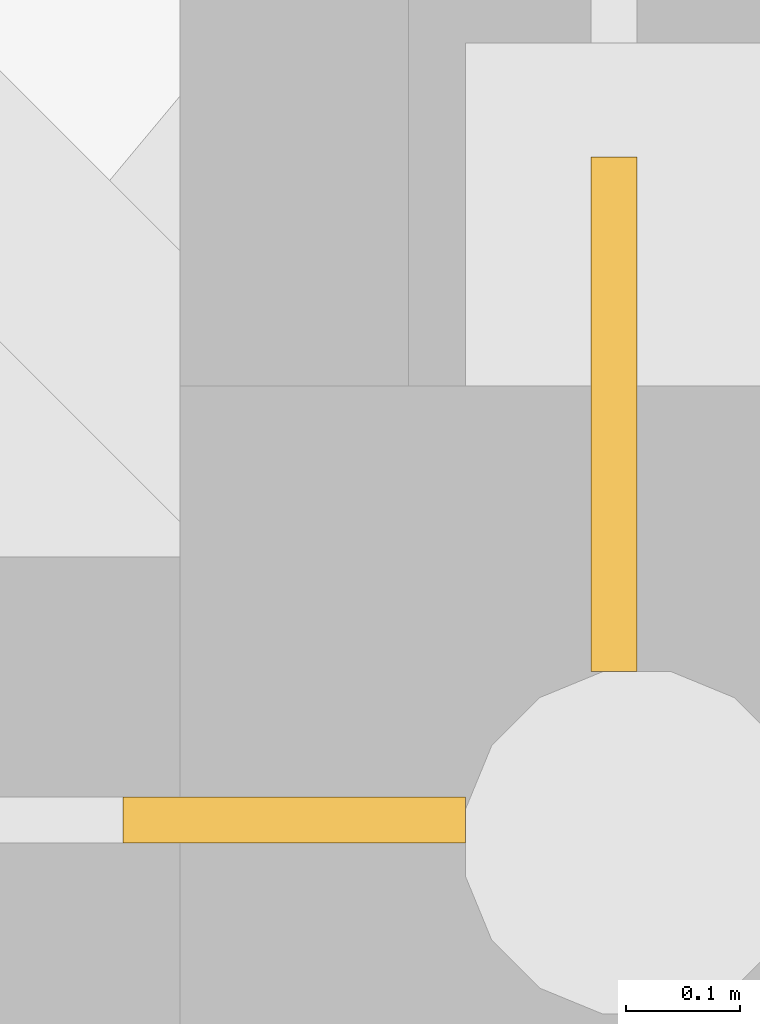
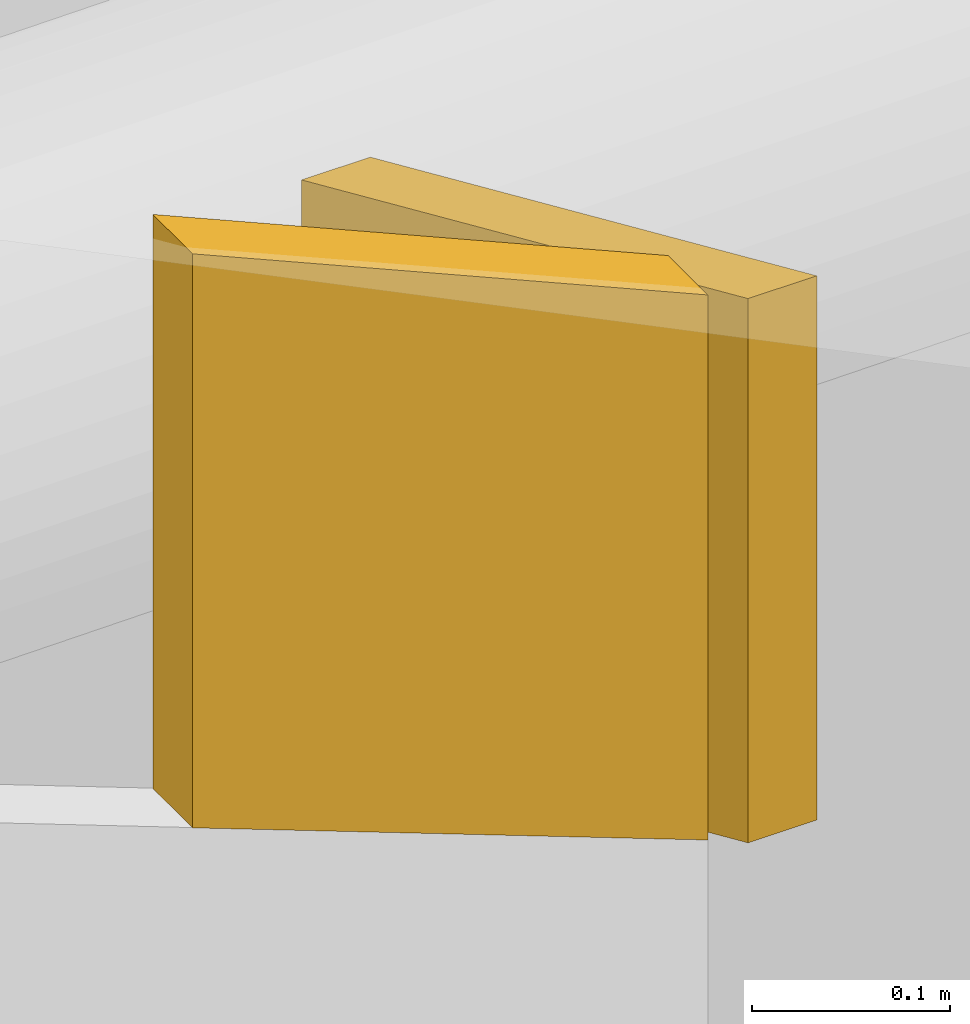
# One storey, part 435 of 437: 2 coverings.
"""IFC4 building model written with IfcOpenShell, lengths in metres."""

from ifc_helpers import new_model, si_unit, direction, frame, origin, place, context, subcontext, project, spatial, polyline, outline, extrude, material, layer, layer_set, type_object, element, save


model = new_model("IFC4")

# Units and contexts
model_context = context("Model", 3, precision=1e-05, world=origin(), true_north=direction((0.0, 1.0)))
body_context = subcontext(model_context, "Body", "Model", "MODEL_VIEW")
ifc_project = project(units=[si_unit("LENGTHUNIT", "METRE"), si_unit("AREAUNIT", "SQUARE_METRE"), si_unit("VOLUMEUNIT", "CUBIC_METRE"), si_unit("PLANEANGLEUNIT", "RADIAN"), si_unit("MASSUNIT", "GRAM", prefix="KILO")], contexts=[model_context])

# Site, building, storey
site_placement = place(None, origin())
site = spatial("IfcSite", under=ifc_project, at=site_placement, CompositionType="ELEMENT")
building_placement = place(site_placement, origin())
building = spatial("IfcBuilding", under=site, at=building_placement, Name="Opaline Strait Convention Centre", CompositionType="ELEMENT")
storey_placement = place(building_placement, frame((0.0, 0.0, 11.5)))
storey = spatial("IfcBuildingStorey", under=building, at=storey_placement, Name="L02", CompositionType="ELEMENT", Elevation=11.5)

# Coverings
ifc_material = material(Name="Aluminium composite cladding panel, white", Category="aluminium")
ifc_layer = layer(ifc_material, 0.0400390625)
ifc_layer_set = layer_set([ifc_layer], Name="Aluminium composite cladding panel, white")
covering_type = type_object("IfcCoveringType", Name="Shell edge frieze panel 40", PredefinedType="CLADDING", material=ifc_layer_set)
covering_1_placement = place(storey_placement, frame((72.0, 117.14990234375, 13.64306640625), z_axis=(1.0, 0.0, 0.0), x_axis=(0.0, 0.913913708315, -0.405908528802)))
element("IfcCovering", 1, at=covering_1_placement, inside=storey, type_object=covering_type, Name="PFR1 frieze strip E 1", PredefinedType="CLADDING", context=body_context, shape_type="SweptSolid", body=[
    extrude(outline(polyline([(0.0, 0.0), (0.4926015535208537, 2.7755575615628914e-17), (0.356638052174246, 0.3061253925313121), (-0.13596350134660773, 0.3061253925313121), (0.0, 0.0)])), origin(), (0.0, 0.0, -1.0), 0.0400390625),
])
covering_2_placement = place(storey_placement, frame((71.550048828125, 117.0, 13.88671875), z_axis=(0.0, -1.0, 0.0), x_axis=(0.936297865471, 0.0, -0.351206929196)))
element("IfcCovering", 2, at=covering_2_placement, inside=storey, type_object=covering_type, Name="PFR1 frieze closure S 73", PredefinedType="CLADDING", context=body_context, shape_type="SweptSolid", body=[
    extrude(outline(polyline([(0.0, 0.0), (0.32046300562076835, 0.0), (0.20265091560237364, 0.31408038748938627), (-0.1240713931998669, 0.3307673367519228), (0.0, 0.0)])), origin(), (0.0, 0.0, -1.0), 0.0400390625),
])

save(model, "model.ifc")
